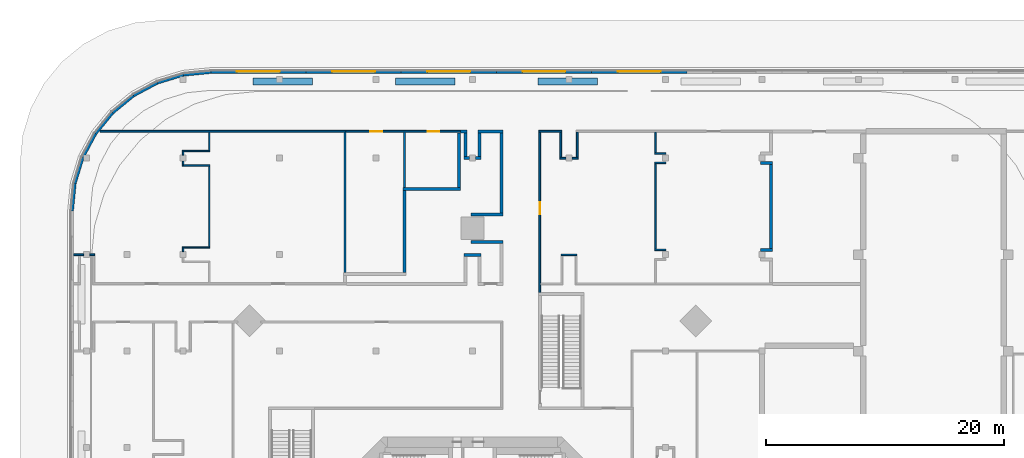
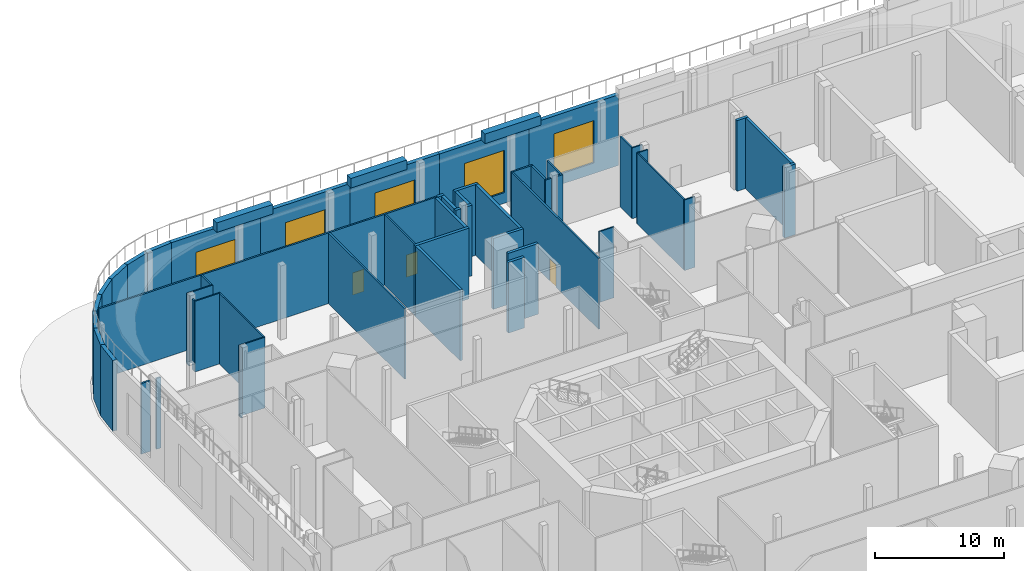
# One storey, part 15 of 21: 58 walls, 5 windows, 3 doors, 8 openings.
"""IFC4 building model written with IfcOpenShell, lengths in metres."""

from ifc_helpers import new_model, si_unit, direction, frame, frame_2d, origin, place, context, subcontext, project, spatial, rectangle, extrude, material, layer, layer_set, type_object, element, fill, save


model = new_model("IFC4")

# Units and contexts
model_context = context("Model", 3, precision=1e-05, world=origin(), true_north=direction((0.0, 1.0)))
body_context = subcontext(model_context, "Body", "Model", "MODEL_VIEW")
ifc_project = project(units=[si_unit("LENGTHUNIT", "METRE"), si_unit("AREAUNIT", "SQUARE_METRE"), si_unit("VOLUMEUNIT", "CUBIC_METRE"), si_unit("PLANEANGLEUNIT", "RADIAN"), si_unit("MASSUNIT", "GRAM", prefix="KILO")], contexts=[model_context])

# Site, building, storey
site_placement = place(None, origin())
site = spatial("IfcSite", under=ifc_project, at=site_placement, CompositionType="ELEMENT")
building_placement = place(site_placement, origin())
building = spatial("IfcBuilding", under=site, at=building_placement, Name="Torre Triforio", CompositionType="ELEMENT")
storey_placement = place(building_placement, frame((0.0, 0.0, 6.0)))
storey = spatial("IfcBuildingStorey", under=building, at=storey_placement, Name="L01", CompositionType="ELEMENT", Elevation=6.0)

# Walls
ifc_material_1 = material(Name="Plasterboard on metal studs")
ifc_layer_1 = layer(ifc_material_1, 0.14990234375)
ifc_layer_set_1 = layer_set([ifc_layer_1], Name="Plasterboard on metal studs")
wall_type_1 = type_object("IfcWallType", Name="Corridor wall 150 EI 60", PredefinedType="PARTITIONING", material=ifc_layer_set_1)
wall_1_placement = place(storey_placement, frame((7.324951171875, 32.39990234375, 0.0), z_axis=(0.0, 0.0, 1.0), x_axis=(1.0, 0.0, 0.0)))
element("IfcWall", 1, at=wall_1_placement, inside=storey, type_object=wall_type_1, Name="Corridor wall L01 093", PredefinedType="PARTITIONING", context=body_context, shape_type="SweptSolid", body=[
    extrude(rectangle(XDim=0.51513671875, YDim=0.14990234375, at=frame_2d((0.257568359375, 0.0))), origin(), (0.0, 0.0, 1.0), 6.679931640625),
])
wall_2_placement = place(storey_placement, frame((8.360107421875, 32.39990234375, 0.0), z_axis=(0.0, 0.0, 1.0), x_axis=(1.0, 0.0, 0.0)))
element("IfcWall", 2, at=wall_2_placement, inside=storey, type_object=wall_type_1, Name="Corridor wall L01 094", PredefinedType="PARTITIONING", context=body_context, shape_type="SweptSolid", body=[
    extrude(rectangle(XDim=0.514892578125, YDim=0.14990234375, at=frame_2d((0.25732421875, 0.0))), origin(), (0.0, 0.0, 1.0), 6.679931640625),
])
wall_3_placement = place(storey_placement, frame((5.574951171875, 34.64990234375, 0.0), z_axis=(0.0, 0.0, 1.0), x_axis=(1.0, 0.0, 0.0)))
element("IfcWall", 3, at=wall_3_placement, inside=storey, type_object=wall_type_1, Name="Corridor wall L01 095", PredefinedType="PARTITIONING", context=body_context, shape_type="SweptSolid", body=[
    extrude(rectangle(XDim=1.900146484375, YDim=0.14990234375, at=frame_2d((0.9501953125, 0.0))), origin(), (0.0, 0.0, 1.0), 6.679931640625),
])
for number, where, z_axis, x_axis, name in (
    (4, (7.39990234375, 32.47509765625, 0.0), (0.0, 0.0, 1.0), (0.0, 1.0, 0.0), "Corridor wall L01 097"),
    (5, (8.800048828125, 32.47509765625, 0.0), (0.0, 0.0, 1.0), (0.0, 1.0, 0.0), "Corridor wall L01 098"),
):
    element("IfcWall", number, at=place(storey_placement, frame(where, z_axis=z_axis, x_axis=x_axis)), inside=storey, type_object=wall_type_1, Name=name, PredefinedType="PARTITIONING", context=body_context, shape_type="SweptSolid", body=[
        extrude(rectangle(XDim=2.099853515625, YDim=0.14990234375, at=frame_2d((1.0498046875, 0.0))), origin(), (0.0, 0.0, 1.0), 6.679931640625),
    ])
wall_4_placement = place(storey_placement, frame((-33.489990234375, 24.280029296875, 0.0), z_axis=(0.0, 0.0, 1.0), x_axis=(1.0, 0.0, 0.0)))
element("IfcWall", 6, at=wall_4_placement, inside=storey, type_object=wall_type_1, Name="Corridor wall L01 145", PredefinedType="PARTITIONING", context=body_context, shape_type="SweptSolid", body=[
    extrude(rectangle(XDim=0.830078125, YDim=0.14990234375, at=frame_2d((0.4150390625, 0.0))), origin(), (0.0, 0.0, 1.0), 6.679931640625),
])
wall_5_placement = place(storey_placement, frame((-32.139892578125, 24.280029296875, 0.0), z_axis=(0.0, 0.0, 1.0), x_axis=(1.0, 0.0, 0.0)))
element("IfcWall", 7, at=wall_5_placement, inside=storey, type_object=wall_type_1, Name="Corridor wall L01 146", PredefinedType="PARTITIONING", context=body_context, shape_type="SweptSolid", body=[
    extrude(rectangle(XDim=0.414794921875, YDim=0.14990234375, at=frame_2d((0.20751953125, 0.0))), origin(), (0.0, 0.0, 1.0), 6.679931640625),
])

# Wall, opening, door
wall_6_placement = place(storey_placement, frame((5.64990234375, 21.125, 0.0), z_axis=(0.0, 0.0, 1.0), x_axis=(0.0, 1.0, 0.0)))
wall_6 = element("IfcWall", 8, at=wall_6_placement, inside=storey, type_object=wall_type_1, Name="Corridor wall L01 151", PredefinedType="PARTITIONING", context=body_context, shape_type="SweptSolid", body=[
    extrude(rectangle(XDim=13.449951171875, YDim=0.14990234375, at=frame_2d((6.72509765625, 0.0))), origin(), (0.0, 0.0, 1.0), 6.679931640625),
])
opening_1_placement = place(wall_6_placement, frame((6.574951171875, 0.0, 0.0)))
opening_1 = element("IfcOpeningElement", 9, at=opening_1_placement, cuts=wall_6, Name="Opening P1-33", PredefinedType="OPENING", context=body_context, shape_type="SweptSolid", body=[
    extrude(rectangle(XDim=1.0, YDim=2.10009765625, at=frame_2d((0.5, 1.050048828125))), frame((0.0, 0.0849609375, 0.0), z_axis=(0.0, -1.0, 0.0), x_axis=(1.0, 0.0, 0.0)), (0.0, 0.0, 1.0), 0.169921875),
])
ifc_material_2 = material(Name="Timber door leaf", Category="wood")
door_type_1 = type_object("IfcDoorType", Name="Single door 1000 x 2100 EI 30", OperationType="NOTDEFINED", PredefinedType="DOOR", material=ifc_material_2)
door_1_placement = place(opening_1_placement, origin())
door_1 = element("IfcDoor", 10, at=door_1_placement, inside=storey, type_object=door_type_1, Name="Door P1-33", OperationType="SINGLE_SWING_LEFT", OverallHeight=2.10009765625, OverallWidth=1.0, PredefinedType="DOOR", context=body_context, shape_type="SweptSolid", body=[
    extrude(rectangle(XDim=1.0, YDim=2.10009765625, at=frame_2d((0.5, 1.050048828125))), frame((0.0, 0.02490234375, 0.0), z_axis=(0.0, -1.0, 0.0), x_axis=(1.0, 0.0, 0.0)), (0.0, 0.0, 1.0), 0.050048828125),
])
fill(opening_1, door_1)

# Walls
wall_7_placement = place(storey_placement, frame((-31.279541015625, 34.64990234375, 0.0), z_axis=(0.0, 0.0, 1.0), x_axis=(1.0, 0.0, 0.0)))
element("IfcWall", 11, at=wall_7_placement, inside=storey, type_object=wall_type_1, Name="Corridor wall L01 169", PredefinedType="PARTITIONING", context=body_context, shape_type="SweptSolid", body=[
    extrude(rectangle(XDim=20.636474609375, YDim=0.14990234375, at=frame_2d((10.318359375, 0.0))), origin(), (0.0, 0.0, 1.0), 6.679931640625),
])
ifc_layer_2 = layer(ifc_material_1, 0.1201171875)
ifc_layer_set_2 = layer_set([ifc_layer_2], Name="Plasterboard on metal studs")
wall_type_2 = type_object("IfcWallType", Name="Partition 120", PredefinedType="PARTITIONING", material=ifc_layer_set_2)
for number, where, z_axis, x_axis, name in (
    (12, (15.286376953125, 24.699951171875, 0.0), (0.0, 0.0, 1.0), (1.0, 0.0, 0.0), "Partition L01 087"),
    (13, (15.286376953125, 32.0, 0.0), (0.0, 0.0, 1.0), (1.0, 0.0, 0.0), "Partition L01 088"),
    (14, (15.286376953125, 32.800048828125, 0.0), (0.0, 0.0, 1.0), (1.0, 0.0, 0.0), "Partition L01 089"),
):
    element("IfcWall", number, at=place(storey_placement, frame(where, z_axis=z_axis, x_axis=x_axis)), inside=storey, type_object=wall_type_2, Name=name, PredefinedType="PARTITIONING", context=body_context, shape_type="SweptSolid", body=[
        extrude(rectangle(XDim=0.95361328125, YDim=0.1201171875, at=frame_2d((0.476806640625, 0.0))), origin(), (0.0, 0.0, 1.0), 6.679931640625),
    ])
wall_8_placement = place(storey_placement, frame((15.346435546875, 24.760009765625, 0.0), z_axis=(0.0, 0.0, 1.0), x_axis=(0.0, 1.0, 0.0)))
element("IfcWall", 15, at=wall_8_placement, inside=storey, type_object=wall_type_2, Name="Partition L01 091", PredefinedType="PARTITIONING", context=body_context, shape_type="SweptSolid", body=[
    extrude(rectangle(XDim=7.179931640625, YDim=0.1201171875, at=frame_2d((3.58984375, 0.0))), origin(), (0.0, 0.0, 1.0), 6.679931640625),
])
wall_9_placement = place(storey_placement, frame((15.346435546875, 32.860107421875, 0.0), z_axis=(0.0, 0.0, 1.0), x_axis=(0.0, 1.0, 0.0)))
element("IfcWall", 16, at=wall_9_placement, inside=storey, type_object=wall_type_2, Name="Partition L01 092", PredefinedType="PARTITIONING", context=body_context, shape_type="SweptSolid", body=[
    extrude(rectangle(XDim=1.71484375, YDim=0.1201171875, at=frame_2d((0.857421875, 0.0))), origin(), (0.0, 0.0, 1.0), 6.679931640625),
])
wall_10_placement = place(storey_placement, frame((7.43994140625, 24.280029296875, 0.0), z_axis=(0.0, 0.0, 1.0), x_axis=(1.0, 0.0, 0.0)))
element("IfcWall", 17, at=wall_10_placement, inside=storey, type_object=wall_type_2, Name="Partition L01 101", PredefinedType="PARTITIONING", context=body_context, shape_type="SweptSolid", body=[
    extrude(rectangle(XDim=1.320068359375, YDim=0.1201171875, at=frame_2d((0.66015625, 0.0))), origin(), (0.0, 0.0, 1.0), 6.679931640625),
])
for number, where, z_axis, x_axis, name in (
    (18, (-24.360107421875, 24.89990234375, 0.0), (0.0, 0.0, 1.0), (1.0, 0.0, 0.0), "Partition L01 255"),
    (19, (-24.360107421875, 31.800048828125, 0.0), (0.0, 0.0, 1.0), (1.0, 0.0, 0.0), "Partition L01 256"),
    (20, (-24.360107421875, 33.0, 0.0), (0.0, 0.0, 1.0), (1.0, 0.0, 0.0), "Partition L01 257"),
):
    element("IfcWall", number, at=place(storey_placement, frame(where, z_axis=z_axis, x_axis=x_axis)), inside=storey, type_object=wall_type_2, Name=name, PredefinedType="PARTITIONING", context=body_context, shape_type="SweptSolid", body=[
        extrude(rectangle(XDim=2.31103515625, YDim=0.1201171875, at=frame_2d((1.155517578125, 0.0))), origin(), (0.0, 0.0, 1.0), 6.679931640625),
    ])
wall_11_placement = place(storey_placement, frame((-24.300048828125, 24.56005859375, 0.0), z_axis=(0.0, 0.0, 1.0), x_axis=(0.0, 1.0, 0.0)))
element("IfcWall", 21, at=wall_11_placement, inside=storey, type_object=wall_type_2, Name="Partition L01 259", PredefinedType="PARTITIONING", context=body_context, shape_type="SweptSolid", body=[
    extrude(rectangle(XDim=0.280029296875, YDim=0.1201171875, at=frame_2d((0.14013671875, 0.0))), origin(), (0.0, 0.0, 1.0), 6.679931640625),
])
wall_12_placement = place(storey_placement, frame((-24.300048828125, 31.860107421875, 0.0), z_axis=(0.0, 0.0, 1.0), x_axis=(0.0, 1.0, 0.0)))
element("IfcWall", 22, at=wall_12_placement, inside=storey, type_object=wall_type_2, Name="Partition L01 260", PredefinedType="PARTITIONING", context=body_context, shape_type="SweptSolid", body=[
    extrude(rectangle(XDim=0.27978515625, YDim=0.1201171875, at=frame_2d((0.139892578125, 0.0))), origin(), (0.0, 0.0, 1.0), 6.679931640625),
])
wall_13_placement = place(storey_placement, frame((-24.300048828125, 32.659912109375, 0.0), z_axis=(0.0, 0.0, 1.0), x_axis=(0.0, 1.0, 0.0)))
element("IfcWall", 23, at=wall_13_placement, inside=storey, type_object=wall_type_2, Name="Partition L01 261", PredefinedType="PARTITIONING", context=body_context, shape_type="SweptSolid", body=[
    extrude(rectangle(XDim=0.280029296875, YDim=0.1201171875, at=frame_2d((0.14013671875, 0.0))), origin(), (0.0, 0.0, 1.0), 6.679931640625),
])
wall_14_placement = place(storey_placement, frame((-22.10888671875, 24.9599609375, 0.0), z_axis=(0.0, 0.0, 1.0), x_axis=(0.0, 1.0, 0.0)))
element("IfcWall", 24, at=wall_14_placement, inside=storey, type_object=wall_type_2, Name="Partition L01 263", PredefinedType="PARTITIONING", context=body_context, shape_type="SweptSolid", body=[
    extrude(rectangle(XDim=6.780029296875, YDim=0.1201171875, at=frame_2d((3.39013671875, 0.0))), origin(), (0.0, 0.0, 1.0), 6.679931640625),
])
wall_15_placement = place(storey_placement, frame((-22.10888671875, 33.06005859375, 0.0), z_axis=(0.0, 0.0, 1.0), x_axis=(0.0, 1.0, 0.0)))
element("IfcWall", 25, at=wall_15_placement, inside=storey, type_object=wall_type_2, Name="Partition L01 264", PredefinedType="PARTITIONING", context=body_context, shape_type="SweptSolid", body=[
    extrude(rectangle(XDim=1.514892578125, YDim=0.1201171875, at=frame_2d((0.75732421875, 0.0))), origin(), (0.0, 0.0, 1.0), 6.679931640625),
])
ifc_material_3 = material(Name="Masonry block", Category="masonry")
ifc_layer_3 = layer(ifc_material_3, 0.25)
ifc_layer_set_3 = layer_set([ifc_layer_3], Name="Masonry block")
wall_type_3 = type_object("IfcWallType", Name="Plant room wall 250 EI 120", PredefinedType="PARTITIONING", material=ifc_layer_set_3)
for number, where, z_axis, x_axis, name in (
    (26, (24.175048828125, 24.699951171875, 0.0), (0.0, 0.0, 1.0), (1.0, 0.0, 0.0), "Plant room wall L01 105"),
    (27, (24.175048828125, 32.0, 0.0), (0.0, 0.0, 1.0), (1.0, 0.0, 0.0), "Plant room wall L01 106"),
):
    element("IfcWall", number, at=place(storey_placement, frame(where, z_axis=z_axis, x_axis=x_axis)), inside=storey, type_object=wall_type_3, Name=name, PredefinedType="PARTITIONING", context=body_context, shape_type="SweptSolid", body=[
        extrude(rectangle(XDim=0.992919921875, YDim=0.25, at=frame_2d((0.49658203125, 0.0))), origin(), (0.0, 0.0, 1.0), 6.679931640625),
    ])
wall_16_placement = place(storey_placement, frame((25.04296875, 24.824951171875, 0.0), z_axis=(0.0, 0.0, 1.0), x_axis=(0.0, 1.0, 0.0)))
element("IfcWall", 28, at=wall_16_placement, inside=storey, type_object=wall_type_3, Name="Plant room wall L01 109", PredefinedType="PARTITIONING", context=body_context, shape_type="SweptSolid", body=[
    extrude(rectangle(XDim=7.050048828125, YDim=0.25, at=frame_2d((3.52490234375, 0.0))), origin(), (0.0, 0.0, 1.0), 6.679931640625),
])
wall_17_placement = place(storey_placement, frame((-0.72509765625, 24.280029296875, 0.0), z_axis=(0.0, 0.0, 1.0), x_axis=(1.0, 0.0, 0.0)))
element("IfcWall", 29, at=wall_17_placement, inside=storey, type_object=wall_type_3, Name="Plant room wall L01 128", PredefinedType="PARTITIONING", context=body_context, shape_type="SweptSolid", body=[
    extrude(rectangle(XDim=1.4501953125, YDim=0.25, at=frame_2d((0.72509765625, 0.0))), origin(), (0.0, 0.0, 1.0), 6.679931640625),
])
for number, where, z_axis, x_axis, name in (
    (30, (-0.125, 25.35009765625, 0.0), (0.0, 0.0, 1.0), (1.0, 0.0, 0.0), "Plant room wall L01 158"),
    (31, (-0.125, 27.64990234375, 0.0), (0.0, 0.0, 1.0), (1.0, 0.0, 0.0), "Plant room wall L01 159"),
):
    element("IfcWall", number, at=place(storey_placement, frame(where, z_axis=z_axis, x_axis=x_axis)), inside=storey, type_object=wall_type_3, Name=name, PredefinedType="PARTITIONING", context=body_context, shape_type="SweptSolid", body=[
        extrude(rectangle(XDim=2.699951171875, YDim=0.25, at=frame_2d((1.35009765625, 0.0))), origin(), (0.0, 0.0, 1.0), 6.679931640625),
    ])
wall_18_placement = place(storey_placement, frame((2.449951171875, 27.77490234375, 0.0), z_axis=(0.0, 0.0, 1.0), x_axis=(0.0, 1.0, 0.0)))
element("IfcWall", 32, at=wall_18_placement, inside=storey, type_object=wall_type_3, Name="Plant room wall L01 161", PredefinedType="PARTITIONING", context=body_context, shape_type="SweptSolid", body=[
    extrude(rectangle(XDim=6.75, YDim=0.25, at=frame_2d((3.375, 0.0))), origin(), (0.0, 0.0, 1.0), 6.679931640625),
])
for number, where, z_axis, x_axis, name in (
    (33, (-0.72509765625, 32.39990234375, 0.0), (0.0, 0.0, 1.0), (1.0, 0.0, 0.0), "Plant room wall L01 163"),
    (34, (0.260009765625, 32.39990234375, 0.0), (0.0, 0.0, 1.0), (1.0, 0.0, 0.0), "Plant room wall L01 164"),
):
    element("IfcWall", number, at=place(storey_placement, frame(where, z_axis=z_axis, x_axis=x_axis)), inside=storey, type_object=wall_type_3, Name=name, PredefinedType="PARTITIONING", context=body_context, shape_type="SweptSolid", body=[
        extrude(rectangle(XDim=0.465087890625, YDim=0.25, at=frame_2d((0.232421875, 0.0))), origin(), (0.0, 0.0, 1.0), 6.679931640625),
    ])
wall_19_placement = place(storey_placement, frame((-1.024658203125, 34.64990234375, 0.0), z_axis=(0.0, 0.0, 1.0), x_axis=(1.0, 0.0, 0.0)))
element("IfcWall", 35, at=wall_19_placement, inside=storey, type_object=wall_type_3, Name="Plant room wall L01 165", PredefinedType="PARTITIONING", context=body_context, shape_type="SweptSolid", body=[
    extrude(rectangle(XDim=0.549560546875, YDim=0.25, at=frame_2d((0.27490234375, 0.0))), origin(), (0.0, 0.0, 1.0), 6.679931640625),
])
wall_20_placement = place(storey_placement, frame((0.47509765625, 34.64990234375, 0.0), z_axis=(0.0, 0.0, 1.0), x_axis=(1.0, 0.0, 0.0)))
element("IfcWall", 36, at=wall_20_placement, inside=storey, type_object=wall_type_3, Name="Plant room wall L01 166", PredefinedType="PARTITIONING", context=body_context, shape_type="SweptSolid", body=[
    extrude(rectangle(XDim=2.099853515625, YDim=0.25, at=frame_2d((1.0498046875, 0.0))), origin(), (0.0, 0.0, 1.0), 6.679931640625),
])
for number, where, z_axis, x_axis, name in (
    (37, (-0.60009765625, 32.52490234375, 0.0), (0.0, 0.0, 1.0), (0.0, 1.0, 0.0), "Plant room wall L01 167"),
    (38, (0.60009765625, 32.52490234375, 0.0), (0.0, 0.0, 1.0), (0.0, 1.0, 0.0), "Plant room wall L01 168"),
):
    element("IfcWall", number, at=place(storey_placement, frame(where, z_axis=z_axis, x_axis=x_axis)), inside=storey, type_object=wall_type_3, Name=name, PredefinedType="PARTITIONING", context=body_context, shape_type="SweptSolid", body=[
        extrude(rectangle(XDim=2.0, YDim=0.25, at=frame_2d((1.0, 0.0))), origin(), (0.0, 0.0, 1.0), 6.679931640625),
    ])
wall_21_placement = place(storey_placement, frame((-5.8310546875, 29.821533203125, 0.0), z_axis=(0.0, 0.0, 1.0), x_axis=(1.0, 0.0, 0.0)))
element("IfcWall", 39, at=wall_21_placement, inside=storey, type_object=wall_type_3, Name="Plant room wall L01 227", PredefinedType="PARTITIONING", context=body_context, shape_type="SweptSolid", body=[
    extrude(rectangle(XDim=4.806396484375, YDim=0.25, at=frame_2d((2.4033203125, 0.0))), origin(), (0.0, 0.0, 1.0), 6.679931640625),
])
wall_22_placement = place(storey_placement, frame((-1.149658203125, 29.946533203125, 0.0), z_axis=(0.0, 0.0, 1.0), x_axis=(0.0, 1.0, 0.0)))
element("IfcWall", 40, at=wall_22_placement, inside=storey, type_object=wall_type_3, Name="Plant room wall L01 228", PredefinedType="PARTITIONING", context=body_context, shape_type="SweptSolid", body=[
    extrude(rectangle(XDim=4.578369140625, YDim=0.25, at=frame_2d((2.2890625, 0.0))), origin(), (0.0, 0.0, 1.0), 6.679931640625),
])
wall_23_placement = place(storey_placement, frame((-5.7060546875, 22.8037109375, 0.0), z_axis=(0.0, 0.0, 1.0), x_axis=(0.0, 1.0, 0.0)))
element("IfcWall", 41, at=wall_23_placement, inside=storey, type_object=wall_type_3, Name="Plant room wall L01 235", PredefinedType="PARTITIONING", context=body_context, shape_type="SweptSolid", body=[
    extrude(rectangle(XDim=6.892822265625, YDim=0.25, at=frame_2d((3.4462890625, 0.0))), origin(), (0.0, 0.0, 1.0), 6.679931640625),
])

# Wall, opening, window
ifc_material_4 = material(Name="Limestone cladding", Category="masonry")
ifc_layer_4 = layer(ifc_material_4, 0.10009765625)
ifc_material_5 = material(Name="Concrete C40", Category="concrete")
ifc_layer_5 = layer(ifc_material_5, 0.25)
ifc_layer_set_4 = layer_set([ifc_layer_4, ifc_layer_5], Name="Limestone cladding / Concrete C40")
wall_type_4 = type_object("IfcWallType", Name="Stone-clad podium wall 350", PredefinedType="STANDARD", material=ifc_layer_set_4)
wall_24_placement = place(storey_placement, frame((17.998291015625, 39.675048828125, 0.0), z_axis=(0.0, 0.0, 1.0), x_axis=(-1.0, 0.0, 0.0)))
wall_24 = element("IfcWall", 42, at=wall_24_placement, inside=storey, type_object=wall_type_4, Name="External wall L01 e17.0.w4", PredefinedType="STANDARD", context=body_context, shape_type="SweptSolid", body=[
    extrude(rectangle(XDim=7.99658203125, YDim=0.35009765625, at=frame_2d((3.998291015625, 0.0))), origin(), (0.0, 0.0, 1.0), 6.679931640625),
])
opening_2_placement = place(wall_24_placement, frame((2.1982421875, 0.0, 1.0)))
opening_2 = element("IfcOpeningElement", 43, at=opening_2_placement, cuts=wall_24, Name="Opening P1-W09", PredefinedType="OPENING", context=body_context, shape_type="SweptSolid", body=[
    extrude(rectangle(XDim=3.60009765625, YDim=4.0, at=frame_2d((1.800048828125, 2.0))), frame((0.0, 0.18505859375, 0.0), z_axis=(0.0, -1.0, 0.0), x_axis=(1.0, 0.0, 0.0)), (0.0, 0.0, 1.0), 0.3701171875),
])
ifc_material_6 = material(Name="Aluminium frame with clear double glazing", Category="aluminium")
window_type = type_object("IfcWindowType", Name="Podium window 3600 x 4000", PartitioningType="DOUBLE_PANEL_VERTICAL", PredefinedType="WINDOW", material=ifc_material_6)
window_1_placement = place(opening_2_placement, origin())
window_1 = element("IfcWindow", 44, at=window_1_placement, inside=storey, type_object=window_type, Name="Window L01 e17.0.w4", OverallHeight=4.0, OverallWidth=3.60009765625, PartitioningType="SINGLE_PANEL", PredefinedType="WINDOW", context=body_context, shape_type="SweptSolid", body=[
    extrude(rectangle(XDim=3.60009765625, YDim=4.0, at=frame_2d((1.800048828125, 2.0))), frame((0.0, 0.030029296875, 0.0), z_axis=(0.0, -1.0, 0.0), x_axis=(1.0, 0.0, 0.0)), (0.0, 0.0, 1.0), 0.06005859375),
])
fill(opening_2, window_1)

wall_25_placement = place(storey_placement, frame((10.001708984375, 39.675048828125, 0.0), z_axis=(0.0, 0.0, 1.0), x_axis=(-1.0, 0.0, 0.0)))
wall_25 = element("IfcWall", 45, at=wall_25_placement, inside=storey, type_object=wall_type_4, Name="External wall L01 e17.0.w5", PredefinedType="STANDARD", context=body_context, shape_type="SweptSolid", body=[
    extrude(rectangle(XDim=7.996337890625, YDim=0.35009765625, at=frame_2d((3.998046875, 0.0))), origin(), (0.0, 0.0, 1.0), 6.679931640625),
])
opening_3_placement = place(wall_25_placement, frame((2.1982421875, 0.0, 1.0)))
opening_3 = element("IfcOpeningElement", 46, at=opening_3_placement, cuts=wall_25, Name="Opening P1-W10", PredefinedType="OPENING", context=body_context, shape_type="SweptSolid", body=[
    extrude(rectangle(XDim=3.60009765625, YDim=4.0, at=frame_2d((1.800048828125, 2.0))), frame((0.0, 0.18505859375, 0.0), z_axis=(0.0, -1.0, 0.0), x_axis=(1.0, 0.0, 0.0)), (0.0, 0.0, 1.0), 0.3701171875),
])
window_2_placement = place(opening_3_placement, origin())
window_2 = element("IfcWindow", 47, at=window_2_placement, inside=storey, type_object=window_type, Name="Window L01 e17.0.w5", OverallHeight=4.0, OverallWidth=3.60009765625, PartitioningType="SINGLE_PANEL", PredefinedType="WINDOW", context=body_context, shape_type="SweptSolid", body=[
    extrude(rectangle(XDim=3.60009765625, YDim=4.0, at=frame_2d((1.800048828125, 2.0))), frame((0.0, 0.030029296875, 0.0), z_axis=(0.0, -1.0, 0.0), x_axis=(1.0, 0.0, 0.0)), (0.0, 0.0, 1.0), 0.06005859375),
])
fill(opening_3, window_2)

wall_26_placement = place(storey_placement, frame((2.00537109375, 39.675048828125, 0.0), z_axis=(0.0, 0.0, 1.0), x_axis=(-1.0, 0.0, 0.0)))
wall_26 = element("IfcWall", 48, at=wall_26_placement, inside=storey, type_object=wall_type_4, Name="External wall L01 e17.0.w6", PredefinedType="STANDARD", context=body_context, shape_type="SweptSolid", body=[
    extrude(rectangle(XDim=7.99658203125, YDim=0.35009765625, at=frame_2d((3.998291015625, 0.0))), origin(), (0.0, 0.0, 1.0), 6.679931640625),
])
opening_4_placement = place(wall_26_placement, frame((2.1982421875, 0.0, 1.0)))
opening_4 = element("IfcOpeningElement", 49, at=opening_4_placement, cuts=wall_26, Name="Opening P1-W11", PredefinedType="OPENING", context=body_context, shape_type="SweptSolid", body=[
    extrude(rectangle(XDim=3.60009765625, YDim=4.0, at=frame_2d((1.800048828125, 2.0))), frame((0.0, 0.18505859375, 0.0), z_axis=(0.0, -1.0, 0.0), x_axis=(1.0, 0.0, 0.0)), (0.0, 0.0, 1.0), 0.3701171875),
])
window_3_placement = place(opening_4_placement, origin())
window_3 = element("IfcWindow", 50, at=window_3_placement, inside=storey, type_object=window_type, Name="Window L01 e17.0.w6", OverallHeight=4.0, OverallWidth=3.60009765625, PartitioningType="SINGLE_PANEL", PredefinedType="WINDOW", context=body_context, shape_type="SweptSolid", body=[
    extrude(rectangle(XDim=3.60009765625, YDim=4.0, at=frame_2d((1.800048828125, 2.0))), frame((0.0, 0.030029296875, 0.0), z_axis=(0.0, -1.0, 0.0), x_axis=(1.0, 0.0, 0.0)), (0.0, 0.0, 1.0), 0.06005859375),
])
fill(opening_4, window_3)

wall_27_placement = place(storey_placement, frame((-5.9912109375, 39.675048828125, 0.0), z_axis=(0.0, 0.0, 1.0), x_axis=(-1.0, 0.0, 0.0)))
wall_27 = element("IfcWall", 51, at=wall_27_placement, inside=storey, type_object=wall_type_4, Name="External wall L01 e17.0.w7", PredefinedType="STANDARD", context=body_context, shape_type="SweptSolid", body=[
    extrude(rectangle(XDim=7.996337890625, YDim=0.35009765625, at=frame_2d((3.998046875, 0.0))), origin(), (0.0, 0.0, 1.0), 6.679931640625),
])
opening_5_placement = place(wall_27_placement, frame((2.1982421875, 0.0, 1.0)))
opening_5 = element("IfcOpeningElement", 52, at=opening_5_placement, cuts=wall_27, Name="Opening P1-W12", PredefinedType="OPENING", context=body_context, shape_type="SweptSolid", body=[
    extrude(rectangle(XDim=3.60009765625, YDim=4.0, at=frame_2d((1.800048828125, 2.0))), frame((0.0, 0.18505859375, 0.0), z_axis=(0.0, -1.0, 0.0), x_axis=(1.0, 0.0, 0.0)), (0.0, 0.0, 1.0), 0.3701171875),
])
window_4_placement = place(opening_5_placement, origin())
window_4 = element("IfcWindow", 53, at=window_4_placement, inside=storey, type_object=window_type, Name="Window L01 e17.0.w7", OverallHeight=4.0, OverallWidth=3.60009765625, PartitioningType="SINGLE_PANEL", PredefinedType="WINDOW", context=body_context, shape_type="SweptSolid", body=[
    extrude(rectangle(XDim=3.60009765625, YDim=4.0, at=frame_2d((1.800048828125, 2.0))), frame((0.0, 0.030029296875, 0.0), z_axis=(0.0, -1.0, 0.0), x_axis=(1.0, 0.0, 0.0)), (0.0, 0.0, 1.0), 0.06005859375),
])
fill(opening_5, window_4)

wall_28_placement = place(storey_placement, frame((-13.987548828125, 39.675048828125, 0.0), z_axis=(0.0, 0.0, 1.0), x_axis=(-1.0, 0.0, 0.0)))
wall_28 = element("IfcWall", 54, at=wall_28_placement, inside=storey, type_object=wall_type_4, Name="External wall L01 e17.0.w8", PredefinedType="STANDARD", context=body_context, shape_type="SweptSolid", body=[
    extrude(rectangle(XDim=7.996337890625, YDim=0.35009765625, at=frame_2d((3.998046875, 0.0))), origin(), (0.0, 0.0, 1.0), 6.679931640625),
])
opening_6_placement = place(wall_28_placement, frame((2.1982421875, 0.0, 1.0)))
opening_6 = element("IfcOpeningElement", 55, at=opening_6_placement, cuts=wall_28, Name="Opening P1-W13", PredefinedType="OPENING", context=body_context, shape_type="SweptSolid", body=[
    extrude(rectangle(XDim=3.60009765625, YDim=4.0, at=frame_2d((1.800048828125, 2.0))), frame((0.0, 0.18505859375, 0.0), z_axis=(0.0, -1.0, 0.0), x_axis=(1.0, 0.0, 0.0)), (0.0, 0.0, 1.0), 0.3701171875),
])
window_5_placement = place(opening_6_placement, origin())
window_5 = element("IfcWindow", 56, at=window_5_placement, inside=storey, type_object=window_type, Name="Window L01 e17.0.w8", OverallHeight=4.0, OverallWidth=3.60009765625, PartitioningType="SINGLE_PANEL", PredefinedType="WINDOW", context=body_context, shape_type="SweptSolid", body=[
    extrude(rectangle(XDim=3.60009765625, YDim=4.0, at=frame_2d((1.800048828125, 2.0))), frame((0.0, 0.030029296875, 0.0), z_axis=(0.0, -1.0, 0.0), x_axis=(1.0, 0.0, 0.0)), (0.0, 0.0, 1.0), 0.06005859375),
])
fill(opening_6, window_5)

# Walls
wall_29_placement = place(storey_placement, frame((-21.98388671875, 39.675048828125, 0.0), z_axis=(0.0, 0.0, 1.0), x_axis=(-0.995187085002, -0.097993192849, 0.0)))
element("IfcWall", 57, at=wall_29_placement, inside=storey, type_object=wall_type_4, Name="External wall L01 e18.0.w0", PredefinedType="STANDARD", context=body_context, shape_type="SweptSolid", body=[
    extrude(rectangle(XDim=2.304443359375, YDim=0.35009765625, at=frame_2d((1.15234375, 0.0))), origin(), (0.0, 0.0, 1.0), 6.679931640625),
])
wall_30_placement = place(storey_placement, frame((-24.27734375, 39.44921875, 0.0), z_axis=(0.0, 0.0, 1.0), x_axis=(-0.956940921075, -0.29028274763, 0.0)))
element("IfcWall", 58, at=wall_30_placement, inside=storey, type_object=wall_type_4, Name="External wall L01 e19.0.w0", PredefinedType="STANDARD", context=body_context, shape_type="SweptSolid", body=[
    extrude(rectangle(XDim=2.28857421875, YDim=0.35009765625, at=frame_2d((1.144287109375, 0.0))), origin(), (0.0, 0.0, 1.0), 6.679931640625),
])
for number, where, z_axis, x_axis, name in (
    (59, (-26.46728515625, 38.784912109375, 0.0), (0.0, 0.0, 1.0), (-0.881888841544, -0.47145739061, 0.0), "External wall L01 e20.0.w0"),
    (60, (-28.4853515625, 37.7060546875, 0.0), (0.0, 0.0, 1.0), (-0.773043858187, -0.634352578082, 0.0), "External wall L01 e21.0.w0"),
    (61, (-30.25439453125, 36.25439453125, 0.0), (0.0, 0.0, 1.0), (-0.634352578082, -0.773043858187, 0.0), "External wall L01 e22.0.w0"),
    (62, (-31.7060546875, 34.4853515625, 0.0), (0.0, 0.0, 1.0), (-0.47145739061, -0.881888841544, 0.0), "External wall L01 e23.0.w0"),
):
    element("IfcWall", number, at=place(storey_placement, frame(where, z_axis=z_axis, x_axis=x_axis)), inside=storey, type_object=wall_type_4, Name=name, PredefinedType="STANDARD", context=body_context, shape_type="SweptSolid", body=[
        extrude(rectangle(XDim=2.288330078125, YDim=0.35009765625, at=frame_2d((1.14404296875, 0.0))), origin(), (0.0, 0.0, 1.0), 6.679931640625),
    ])
wall_31_placement = place(storey_placement, frame((-32.784912109375, 32.46728515625, 0.0), z_axis=(0.0, 0.0, 1.0), x_axis=(-0.29028274763, -0.956940921075, 0.0)))
element("IfcWall", 63, at=wall_31_placement, inside=storey, type_object=wall_type_4, Name="External wall L01 e24.0.w0", PredefinedType="STANDARD", context=body_context, shape_type="SweptSolid", body=[
    extrude(rectangle(XDim=2.28857421875, YDim=0.35009765625, at=frame_2d((1.144287109375, 0.0))), origin(), (0.0, 0.0, 1.0), 6.679931640625),
])
wall_32_placement = place(storey_placement, frame((-33.44921875, 30.27734375, 0.0), z_axis=(0.0, 0.0, 1.0), x_axis=(-0.097993192849, -0.995187085002, 0.0)))
element("IfcWall", 64, at=wall_32_placement, inside=storey, type_object=wall_type_4, Name="External wall L01 e25.0.w0", PredefinedType="STANDARD", context=body_context, shape_type="SweptSolid", body=[
    extrude(rectangle(XDim=2.304443359375, YDim=0.35009765625, at=frame_2d((1.15234375, 0.0))), origin(), (0.0, 0.0, 1.0), 6.679931640625),
])
ifc_layer_6 = layer(ifc_material_4, 0.10009765625)
ifc_layer_7 = layer(ifc_material_5, 0.5)
ifc_layer_set_5 = layer_set([ifc_layer_6, ifc_layer_7], Name="Limestone cladding / Concrete C40")
wall_type_5 = type_object("IfcWallType", Name="Terrace planter wall 600", PredefinedType="PARAPET", material=ifc_layer_set_5)
for number, where, z_axis, x_axis, name in (
    (65, (10.509521484375, 38.85009765625, 7.0), (0.0, 0.0, 1.0), (-1.0, 0.0, 0.0), "Terrace T2 planter 18.4"),
    (66, (-1.4716796875, 38.85009765625, 7.0), (0.0, 0.0, 1.0), (-1.0, 0.0, 0.0), "Terrace T2 planter 18.5"),
    (67, (-13.452880859375, 38.85009765625, 7.0), (0.0, 0.0, 1.0), (-1.0, 0.0, 0.0), "Terrace T2 planter 18.6"),
):
    element("IfcWall", number, at=place(storey_placement, frame(where, z_axis=z_axis, x_axis=x_axis)), inside=storey, type_object=wall_type_5, Name=name, PredefinedType="PARAPET", context=body_context, shape_type="SweptSolid", body=[
        extrude(rectangle(XDim=5.0, YDim=0.60009765625, at=frame_2d((2.5, 0.0))), origin(), (0.0, 0.0, 1.0), 0.89990234375),
    ])

# Wall, openings, doors
ifc_layer_8 = layer(ifc_material_1, 0.14990234375)
ifc_layer_set_6 = layer_set([ifc_layer_8], Name="Plasterboard on metal studs")
wall_type_6 = type_object("IfcWallType", Name="Wet room wall 150", PredefinedType="PARTITIONING", material=ifc_layer_set_6)
wall_33_placement = place(storey_placement, frame((-10.64306640625, 34.64990234375, 0.0), z_axis=(0.0, 0.0, 1.0), x_axis=(1.0, 0.0, 0.0)))
wall_33 = element("IfcWall", 68, at=wall_33_placement, inside=storey, type_object=wall_type_6, Name="Wet room wall L01 170", PredefinedType="PARTITIONING", context=body_context, shape_type="SweptSolid", body=[
    extrude(rectangle(XDim=9.618408203125, YDim=0.14990234375, at=frame_2d((4.80908203125, 0.0))), origin(), (0.0, 0.0, 1.0), 6.679931640625),
])
opening_7_placement = place(wall_33_placement, frame((2.050048828125, 0.0, 0.0)))
opening_7 = element("IfcOpeningElement", 69, at=opening_7_placement, cuts=wall_33, Name="Opening P1-45", PredefinedType="OPENING", context=body_context, shape_type="SweptSolid", body=[
    extrude(rectangle(XDim=1.0, YDim=2.10009765625, at=frame_2d((0.5, 1.050048828125))), frame((0.0, 0.0849609375, 0.0), z_axis=(0.0, -1.0, 0.0), x_axis=(1.0, 0.0, 0.0)), (0.0, 0.0, 1.0), 0.169921875),
])
opening_8_placement = place(wall_33_placement, frame((6.862060546875, 0.0, 0.0)))
opening_8 = element("IfcOpeningElement", 70, at=opening_8_placement, cuts=wall_33, Name="Opening P1-46", PredefinedType="OPENING", context=body_context, shape_type="SweptSolid", body=[
    extrude(rectangle(XDim=1.0, YDim=2.10009765625, at=frame_2d((0.5, 1.050048828125))), frame((0.0, 0.0849609375, 0.0), z_axis=(0.0, -1.0, 0.0), x_axis=(1.0, 0.0, 0.0)), (0.0, 0.0, 1.0), 0.169921875),
])
door_type_2 = type_object("IfcDoorType", Name="Single door 1000 x 2100", OperationType="NOTDEFINED", PredefinedType="DOOR", material=ifc_material_2)
door_2_placement = place(opening_7_placement, origin())
door_2 = element("IfcDoor", 71, at=door_2_placement, inside=storey, type_object=door_type_2, Name="Door P1-45", OperationType="SINGLE_SWING_LEFT", OverallHeight=2.10009765625, OverallWidth=1.0, PredefinedType="DOOR", context=body_context, shape_type="SweptSolid", body=[
    extrude(rectangle(XDim=1.0, YDim=2.10009765625, at=frame_2d((0.5, 1.050048828125))), frame((0.0, 0.02490234375, 0.0), z_axis=(0.0, -1.0, 0.0), x_axis=(1.0, 0.0, 0.0)), (0.0, 0.0, 1.0), 0.050048828125),
])
fill(opening_7, door_2)
door_3_placement = place(opening_8_placement, origin())
door_3 = element("IfcDoor", 72, at=door_3_placement, inside=storey, type_object=door_type_2, Name="Door P1-46", OperationType="SINGLE_SWING_LEFT", OverallHeight=2.10009765625, OverallWidth=1.0, PredefinedType="DOOR", context=body_context, shape_type="SweptSolid", body=[
    extrude(rectangle(XDim=1.0, YDim=2.10009765625, at=frame_2d((0.5, 1.050048828125))), frame((0.0, 0.02490234375, 0.0), z_axis=(0.0, -1.0, 0.0), x_axis=(1.0, 0.0, 0.0)), (0.0, 0.0, 1.0), 0.050048828125),
])
fill(opening_8, door_3)

# Walls
wall_34_placement = place(storey_placement, frame((-5.7060546875, 29.946533203125, 0.0), z_axis=(0.0, 0.0, 1.0), x_axis=(0.0, 1.0, 0.0)))
element("IfcWall", 73, at=wall_34_placement, inside=storey, type_object=wall_type_6, Name="Wet room wall L01 229", PredefinedType="PARTITIONING", context=body_context, shape_type="SweptSolid", body=[
    extrude(rectangle(XDim=4.62841796875, YDim=0.14990234375, at=frame_2d((2.314208984375, 0.0))), origin(), (0.0, 0.0, 1.0), 6.679931640625),
])
wall_35_placement = place(storey_placement, frame((-10.718017578125, 22.8037109375, 0.0), z_axis=(0.0, 0.0, 1.0), x_axis=(0.0, 1.0, 0.0)))
element("IfcWall", 74, at=wall_35_placement, inside=storey, type_object=wall_type_6, Name="Wet room wall L01 265", PredefinedType="PARTITIONING", context=body_context, shape_type="SweptSolid", body=[
    extrude(rectangle(XDim=11.771240234375, YDim=0.14990234375, at=frame_2d((5.8857421875, 0.0))), origin(), (0.0, 0.0, 1.0), 6.679931640625),
])

save(model, "model.ifc")
